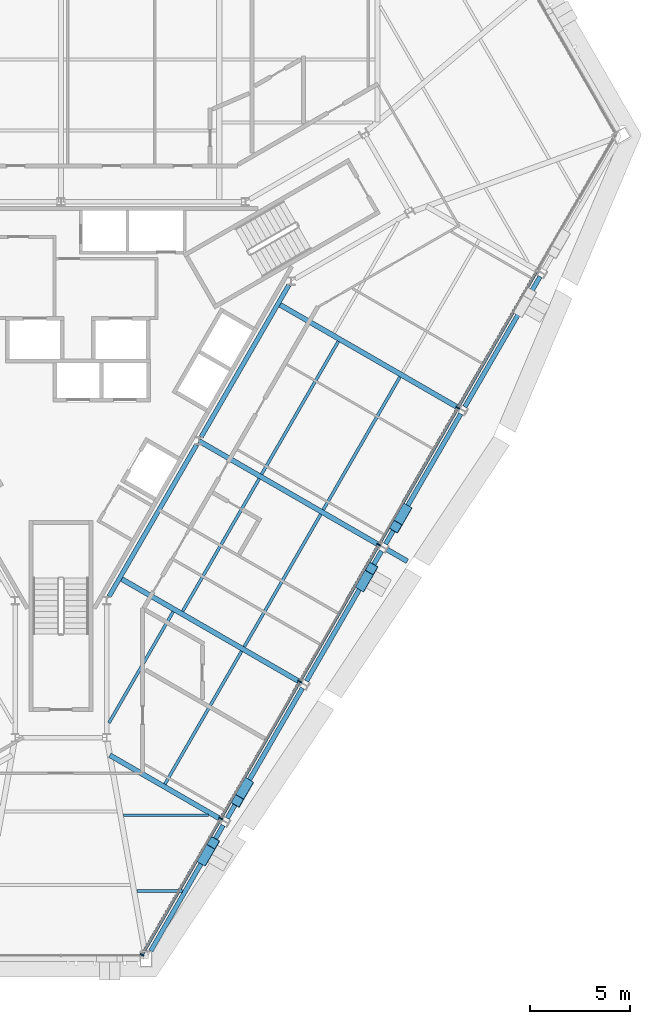
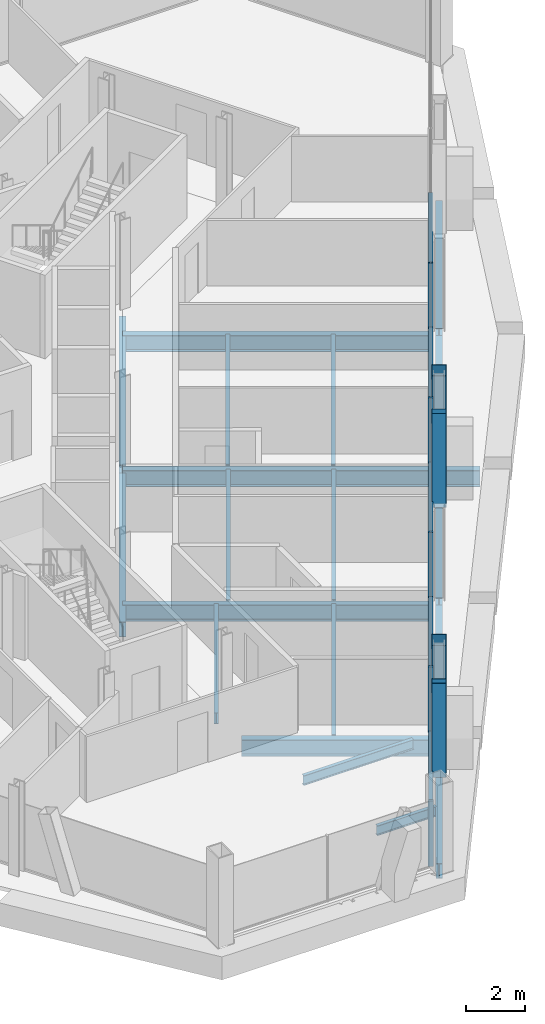
# One storey, part 5 of 14: 20 beams, 14 members, 1 element without a shape of its own.
"""IFC4 building model written with IfcOpenShell, lengths in metres."""

from ifc_helpers import new_model, si_unit, direction, frame, origin, origin_2d, place, context, subcontext, project, spatial, rectangle, hollow_rectangle, i_section, extrude, material, material_profile, profile_set, type_object, element, aggregate, save


model = new_model("IFC4")

# Units and contexts
model_context = context("Model", 3, precision=1e-05, world=origin(), true_north=direction((0.0, 1.0)))
body_context = subcontext(model_context, "Body", "Model", "MODEL_VIEW")
ifc_project = project(units=[si_unit("LENGTHUNIT", "METRE"), si_unit("AREAUNIT", "SQUARE_METRE"), si_unit("VOLUMEUNIT", "CUBIC_METRE"), si_unit("PLANEANGLEUNIT", "RADIAN"), si_unit("MASSUNIT", "GRAM", prefix="KILO")], contexts=[model_context])

# Site, building, storey
site_placement = place(None, origin())
site = spatial("IfcSite", under=ifc_project, at=site_placement, CompositionType="ELEMENT")
building_placement = place(site_placement, origin())
building = spatial("IfcBuilding", under=site, at=building_placement, Name="Verrane Prism Tower", CompositionType="ELEMENT")
storey_placement = place(building_placement, frame((0.0, 0.0, 193.199951171875)))
storey = spatial("IfcBuildingStorey", under=building, at=storey_placement, Name="L48", CompositionType="ELEMENT", Elevation=193.199951171875)

# Beams
ifc_material_1 = material(Name="Steel A992", Category="steel")
ifc_material_profile_1 = material_profile(ifc_material_1, i_section(OverallWidth=0.23046875, OverallDepth=0.6171875, WebThickness=0.01318359375, FlangeThickness=0.022216796875, FilletRadius=0.012939453125, at=origin_2d()), Name="W24x94")
ifc_profile_set_1 = profile_set([ifc_material_profile_1], Name="Steel A992")
beam_type_1 = type_object("IfcBeamType", Name="Core ring girder W24x94", PredefinedType="BEAM", material=ifc_profile_set_1)
beam_1_placement = place(storey_placement, frame((2.4150390625, -11.820556640625, -0.55859375), z_axis=(0.499988222896, 0.866032203192, 0.0), x_axis=(-0.866032203192, 0.499988222896, 0.0)))
element("IfcBeam", 1, at=beam_1_placement, inside=storey, type_object=beam_type_1, Name="Core ring girder L48", PredefinedType="BEAM", context=body_context, shape_type="SweptSolid", body=[
    extrude(i_section(OverallWidth=0.23046875, OverallDepth=0.6171875, WebThickness=0.01318359375, FlangeThickness=0.022216796875, FilletRadius=0.012939453125, at=origin_2d()), origin(), (0.0, 0.0, 1.0), 8.800048828125),
])
beam_2_placement = place(storey_placement, frame((7.045166015625, -3.800537109375, -0.55859375), z_axis=(0.499967414725, 0.866044216084, 0.0), x_axis=(-0.866044216084, 0.499967414725, 0.0)))
element("IfcBeam", 2, at=beam_2_placement, inside=storey, type_object=beam_type_1, Name="Core ring girder L48", PredefinedType="BEAM", context=body_context, shape_type="SweptSolid", body=[
    extrude(i_section(OverallWidth=0.23046875, OverallDepth=0.6171875, WebThickness=0.01318359375, FlangeThickness=0.022216796875, FilletRadius=0.012939453125, at=origin_2d()), origin(), (0.0, 0.0, 1.0), 8.7998046875),
])

# Members
ifc_material_2 = material(Name="Steel A500 Grade C", Category="steel")
ifc_material_profile_2 = material_profile(ifc_material_2, hollow_rectangle(XDim=0.508056640625, YDim=0.508056640625, WallThickness=0.01904296875, InnerFilletRadius=0.009521484375, OuterFilletRadius=0.028564453125, at=origin_2d()), Name="HSS20x20x3/4")
ifc_profile_set_2 = profile_set([ifc_material_profile_2], Name="Steel A500 Grade C")
member_type_1 = type_object("IfcMemberType", Name="Facade brace HSS20x20x3/4", PredefinedType="BRACE", material=ifc_profile_set_2)
member_1_placement = place(storey_placement, frame((7.154296875, -25.031494140625, -0.216552734375), z_axis=(0.146560139655, 0.254271253751, 0.955963521783), x_axis=(-0.866384350975, 0.499377769215, 0.0)))
element("IfcMember", 3, at=member_1_placement, inside=storey, type_object=member_type_1, Name="Facade brace SE0 L48", PredefinedType="BRACE", context=body_context, shape_type="SweptSolid", body=[
    extrude(hollow_rectangle(XDim=0.508056640625, YDim=0.508056640625, WallThickness=0.01904296875, InnerFilletRadius=0.009521484375, OuterFilletRadius=0.028564453125, at=origin_2d()), origin(), (0.0, 0.0, 1.0), 3.34326171875),
])
member_2_placement = place(storey_placement, frame((9.348388671875, -21.228515625, -0.216552734375), z_axis=(-0.146845944999, -0.254260358273, 0.955922558918), x_axis=(0.865953635734, -0.500124285313, 0.0)))
element("IfcMember", 4, at=member_2_placement, inside=storey, type_object=member_type_1, Name="Facade brace SE1 L48", PredefinedType="BRACE", context=body_context, shape_type="SweptSolid", body=[
    extrude(hollow_rectangle(XDim=0.508056640625, YDim=0.508056640625, WallThickness=0.01904296875, InnerFilletRadius=0.009521484375, OuterFilletRadius=0.028564453125, at=origin_2d()), origin(), (0.0, 0.0, 1.0), 3.343505859375),
])
member_3_placement = place(storey_placement, frame((15.104248046875, -11.2587890625, -0.216552734375), z_axis=(0.146573738441, 0.253929690364, 0.956052222188), x_axis=(-0.866073599808, 0.499916512745, 0.0)))
element("IfcMember", 5, at=member_3_placement, inside=storey, type_object=member_type_1, Name="Facade brace SE2 L48", PredefinedType="BRACE", context=body_context, shape_type="SweptSolid", body=[
    extrude(hollow_rectangle(XDim=0.508056640625, YDim=0.508056640625, WallThickness=0.01904296875, InnerFilletRadius=0.009521484375, OuterFilletRadius=0.028564453125, at=origin_2d()), origin(), (0.0, 0.0, 1.0), 3.343017578125),
])
member_4_placement = place(storey_placement, frame((17.29833984375, -7.45849609375, -0.216552734375), z_axis=(-0.146845944999, -0.254260358273, 0.955922558918), x_axis=(0.865953635734, -0.500124285313, 0.0)))
element("IfcMember", 6, at=member_4_placement, inside=storey, type_object=member_type_1, Name="Facade brace SE3 L48", PredefinedType="BRACE", context=body_context, shape_type="SweptSolid", body=[
    extrude(hollow_rectangle(XDim=0.508056640625, YDim=0.508056640625, WallThickness=0.01904296875, InnerFilletRadius=0.009521484375, OuterFilletRadius=0.028564453125, at=origin_2d()), origin(), (0.0, 0.0, 1.0), 3.343505859375),
])

# Beams
ifc_material_3 = material(Name="Steel A992", Category="steel")
ifc_material_profile_3 = material_profile(ifc_material_3, i_section(OverallWidth=0.140380859375, OverallDepth=0.40380859375, WebThickness=0.007080078125, FlangeThickness=0.01123046875, FilletRadius=0.01025390625, at=origin_2d()), Name="W16x31")
ifc_profile_set_3 = profile_set([ifc_material_profile_3], Name="Steel A992")
beam_type_2 = type_object("IfcBeamType", Name="Floor beam W16x31", PredefinedType="BEAM", material=ifc_profile_set_3)
beam_3_placement = place(storey_placement, frame((3.808837890625, -26.603271484375, -0.36181640625), z_axis=(1.0, 0.0, 0.0), x_axis=(0.0, 1.0, 0.0)))
element("IfcBeam", 7, at=beam_3_placement, inside=storey, type_object=beam_type_2, Name="Floor beam L48", PredefinedType="BEAM", context=body_context, shape_type="SweptSolid", body=[
    extrude(i_section(OverallWidth=0.140380859375, OverallDepth=0.40380859375, WebThickness=0.007080078125, FlangeThickness=0.01123046875, FilletRadius=0.01025390625, at=origin_2d()), origin(), (0.0, 0.0, 1.0), 2.30419921875),
])
beam_4_placement = place(storey_placement, frame((3.131103515625, -22.796630859375, -0.36181640625), z_axis=(1.0, 0.0, 0.0), x_axis=(0.0, 1.0, 0.0)))
element("IfcBeam", 8, at=beam_4_placement, inside=storey, type_object=beam_type_2, Name="Floor beam L48", PredefinedType="BEAM", context=body_context, shape_type="SweptSolid", body=[
    extrude(i_section(OverallWidth=0.140380859375, OverallDepth=0.40380859375, WebThickness=0.007080078125, FlangeThickness=0.01123046875, FilletRadius=0.01025390625, at=origin_2d()), origin(), (0.0, 0.0, 1.0), 4.287109375),
])
ifc_material_4 = material(Name="Steel A992", Category="steel")
ifc_material_profile_4 = material_profile(ifc_material_4, i_section(OverallWidth=0.15234375, OverallDepth=0.449462890625, WebThickness=0.007568359375, FlangeThickness=0.0107421875, FilletRadius=0.01025390625, at=origin_2d()), Name="W18x35")
ifc_profile_set_4 = profile_set([ifc_material_profile_4], Name="Steel A992")
beam_type_3 = type_object("IfcBeamType", Name="Floor beam W18x35", PredefinedType="BEAM", material=ifc_profile_set_4)
beam_5_placement = place(storey_placement, frame((5.222900390625, -21.237060546875, -0.384765625), z_axis=(0.500007761655, 0.866020922544, 0.0), x_axis=(-0.866020922544, 0.500007761655, 0.0)))
element("IfcBeam", 9, at=beam_5_placement, inside=storey, type_object=beam_type_3, Name="Floor beam L48", PredefinedType="BEAM", context=body_context, shape_type="SweptSolid", body=[
    extrude(i_section(OverallWidth=0.15234375, OverallDepth=0.449462890625, WebThickness=0.007568359375, FlangeThickness=0.0107421875, FilletRadius=0.01025390625, at=origin_2d()), origin(), (0.0, 0.0, 1.0), 7.70361328125),
])
beam_6_placement = place(storey_placement, frame((2.4150390625, -18.16064453125, -0.384765625), z_axis=(0.499994722028, 0.866028451001, 0.0), x_axis=(-0.866028451001, 0.499994722028, 0.0)))
element("IfcBeam", 10, at=beam_6_placement, inside=storey, type_object=beam_type_3, Name="Floor beam L48", PredefinedType="BEAM", context=body_context, shape_type="SweptSolid", body=[
    extrude(i_section(OverallWidth=0.15234375, OverallDepth=0.449462890625, WebThickness=0.007568359375, FlangeThickness=0.0107421875, FilletRadius=0.01025390625, at=origin_2d()), origin(), (0.0, 0.0, 1.0), 6.4423828125),
])
for number, where, z_axis, x_axis, name in (
    (11, (9.202880859375, -14.346435546875, -0.384765625), (0.500004621041, 0.866022735809, 0.0), (-0.866022735809, 0.500004621041, 0.0), "Floor beam L48"),
    (12, (6.1123046875, -12.562744140625, -0.384765625), (0.500004621041, 0.866022735809, 0.0), (-0.866022735809, 0.500004621041, 0.0), "Floor beam L48"),
):
    element("IfcBeam", number, at=place(storey_placement, frame(where, z_axis=z_axis, x_axis=x_axis)), inside=storey, type_object=beam_type_3, Name=name, PredefinedType="BEAM", context=body_context, shape_type="SweptSolid", body=[
        extrude(i_section(OverallWidth=0.15234375, OverallDepth=0.449462890625, WebThickness=0.007568359375, FlangeThickness=0.0107421875, FilletRadius=0.01025390625, at=origin_2d()), origin(), (0.0, 0.0, 1.0), 7.689453125),
    ])
beam_7_placement = place(storey_placement, frame((13.171142578125, -7.46533203125, -0.384765625), z_axis=(0.499990362368, 0.866030968003, 0.0), x_axis=(-0.866030968003, 0.499990362368, 0.0)))
element("IfcBeam", 13, at=beam_7_placement, inside=storey, type_object=beam_type_3, Name="Floor beam L48", PredefinedType="BEAM", context=body_context, shape_type="SweptSolid", body=[
    extrude(i_section(OverallWidth=0.15234375, OverallDepth=0.449462890625, WebThickness=0.007568359375, FlangeThickness=0.0107421875, FilletRadius=0.01025390625, at=origin_2d()), origin(), (0.0, 0.0, 1.0), 7.704345703125),
])
beam_8_placement = place(storey_placement, frame((10.0771484375, -5.6796875, -0.384765625), z_axis=(0.499983011228, 0.866035212034, 0.0), x_axis=(-0.866035212034, 0.499983011228, 0.0)))
element("IfcBeam", 14, at=beam_8_placement, inside=storey, type_object=beam_type_3, Name="Floor beam L48", PredefinedType="BEAM", context=body_context, shape_type="SweptSolid", body=[
    extrude(i_section(OverallWidth=0.15234375, OverallDepth=0.449462890625, WebThickness=0.007568359375, FlangeThickness=0.0107421875, FilletRadius=0.01025390625, at=origin_2d()), origin(), (0.0, 0.0, 1.0), 7.705322265625),
])

# Curtain wall, members
ifc_material_5 = material(Name="Aluminium framed insulated glazing", Category="aluminium")
curtain_wall_type = type_object("IfcCurtainWallType", Name="Curtain wall CW-A 8400 module", PredefinedType="NOTDEFINED", material=ifc_material_5)
curtain_wall_placement = place(storey_placement, origin())
curtain_wall = element("IfcCurtainWall", 15, at=curtain_wall_placement, inside=storey, type_object=curtain_wall_type, Name="Glazed curtain wall south-east face L48", PredefinedType="NOTDEFINED")
ifc_material_6 = material(Name="Aluminium alloy 6063-T6", Category="aluminium")
ifc_material_profile_5 = material_profile(ifc_material_6, rectangle(XDim=0.199951171875, YDim=0.070068359375, at=origin_2d()), Name="Mullion 70x200 aluminium")
ifc_profile_set_5 = profile_set([ifc_material_profile_5], Name="Aluminium alloy 6063-T6")
member_type_2 = type_object("IfcMemberType", Name="Mullion 70x200 aluminium", PredefinedType="MULLION", material=ifc_profile_set_5)
member_5_placement = place(storey_placement, frame((4.07275390625, -29.807861328125, 0.0), z_axis=(0.0, 0.0, 1.0), x_axis=(-0.866025652206, 0.499999569721, 0.0)))
member_5 = element("IfcMember", 16, at=member_5_placement, type_object=member_type_2, Name="CW47.6 mullion 1", PredefinedType="MULLION", context=body_context, shape_type="SweptSolid", body=[
    extrude(rectangle(XDim=0.199951171875, YDim=0.070068359375, at=origin_2d()), origin(), (0.0, 0.0, 1.0), 2.712890625),
])
member_6_placement = place(storey_placement, frame((8.024169921875, -22.9638671875, 0.0), z_axis=(0.0, 0.0, 1.0), x_axis=(-0.866025652206, 0.499999569721, 0.0)))
member_6 = element("IfcMember", 17, at=member_6_placement, type_object=member_type_2, Name="CW47.6 mullion 2", PredefinedType="MULLION", context=body_context, shape_type="SweptSolid", body=[
    extrude(rectangle(XDim=0.199951171875, YDim=0.070068359375, at=origin_2d()), origin(), (0.0, 0.0, 1.0), 2.712890625),
])
member_7_placement = place(storey_placement, frame((11.992919921875, -16.089599609375, 0.0), z_axis=(0.0, 0.0, 1.0), x_axis=(-0.866025652206, 0.499999569721, 0.0)))
member_7 = element("IfcMember", 18, at=member_7_placement, type_object=member_type_2, Name="CW47.6 mullion 3", PredefinedType="MULLION", context=body_context, shape_type="SweptSolid", body=[
    extrude(rectangle(XDim=0.199951171875, YDim=0.070068359375, at=origin_2d()), origin(), (0.0, 0.0, 1.0), 2.712890625),
])
member_8_placement = place(storey_placement, frame((15.961669921875, -9.215576171875, 0.0), z_axis=(0.0, 0.0, 1.0), x_axis=(-0.866025652206, 0.499999569721, 0.0)))
member_8 = element("IfcMember", 19, at=member_8_placement, type_object=member_type_2, Name="CW47.6 mullion 4", PredefinedType="MULLION", context=body_context, shape_type="SweptSolid", body=[
    extrude(rectangle(XDim=0.199951171875, YDim=0.070068359375, at=origin_2d()), origin(), (0.0, 0.0, 1.0), 2.712890625),
])
member_9_placement = place(storey_placement, frame((19.9306640625, -2.34130859375, 0.0), z_axis=(0.0, 0.0, 1.0), x_axis=(-0.866025652206, 0.499999569721, 0.0)))
member_9 = element("IfcMember", 20, at=member_9_placement, type_object=member_type_2, Name="CW47.6 mullion 5", PredefinedType="MULLION", context=body_context, shape_type="SweptSolid", body=[
    extrude(rectangle(XDim=0.199951171875, YDim=0.070068359375, at=origin_2d()), origin(), (0.0, 0.0, 1.0), 2.712890625),
])

# Beams
ifc_material_7 = material(Name="Steel A992", Category="steel")
ifc_material_profile_6 = material_profile(ifc_material_7, i_section(OverallWidth=0.25390625, OverallDepth=0.683349609375, WebThickness=0.012451171875, FlangeThickness=0.01904296875, FilletRadius=0.01513671875, at=origin_2d()), Name="W27x94")
ifc_profile_set_6 = profile_set([ifc_material_profile_6], Name="Steel A992")
beam_type_4 = type_object("IfcBeamType", Name="Radial girder W27x94", PredefinedType="BEAM", material=ifc_profile_set_6)
beam_9_placement = place(storey_placement, frame((8.069580078125, -23.02587890625, -0.5615234375), z_axis=(-0.866024967991, 0.500000754816, 0.0), x_axis=(-0.500000754816, -0.866024967991, 0.0)))
element("IfcBeam", 21, at=beam_9_placement, inside=storey, type_object=beam_type_4, Name="Radial girder L48", PredefinedType="BEAM", context=body_context, shape_type="SweptSolid", body=[
    extrude(i_section(OverallWidth=0.25390625, OverallDepth=0.683349609375, WebThickness=0.012451171875, FlangeThickness=0.01904296875, FilletRadius=0.01513671875, at=origin_2d()), origin(), (0.0, 0.0, 1.0), 6.47998046875),
])
beam_10_placement = place(storey_placement, frame((12.049560546875, -16.135986328125, -0.5615234375), z_axis=(-0.866024144196, 0.500002181665, 0.0), x_axis=(-0.500002181665, -0.866024144196, 0.0)))
element("IfcBeam", 22, at=beam_10_placement, inside=storey, type_object=beam_type_4, Name="Radial girder L48", PredefinedType="BEAM", context=body_context, shape_type="SweptSolid", body=[
    extrude(i_section(OverallWidth=0.25390625, OverallDepth=0.683349609375, WebThickness=0.012451171875, FlangeThickness=0.01904296875, FilletRadius=0.01513671875, at=origin_2d()), origin(), (0.0, 0.0, 1.0), 10.50146484375),
])
beam_11_placement = place(storey_placement, frame((16.01953125, -9.255859375, -0.5615234375), z_axis=(-0.866029539658, 0.499992836388, 0.0), x_axis=(-0.499992836388, -0.866029539658, 0.0)))
element("IfcBeam", 23, at=beam_11_placement, inside=storey, type_object=beam_type_4, Name="Radial girder L48", PredefinedType="BEAM", context=body_context, shape_type="SweptSolid", body=[
    extrude(i_section(OverallWidth=0.25390625, OverallDepth=0.683349609375, WebThickness=0.012451171875, FlangeThickness=0.01904296875, FilletRadius=0.01513671875, at=origin_2d()), origin(), (0.0, 0.0, 1.0), 10.499755859375),
])
beam_12_placement = place(storey_placement, frame((19.99951171875, -2.365966796875, -0.5615234375), z_axis=(-0.866019889578, 0.500009550764, 0.0), x_axis=(-0.500009550764, -0.866019889578, 0.0)))
element("IfcBeam", 24, at=beam_12_placement, inside=storey, type_object=beam_type_4, Name="Radial girder L48", PredefinedType="BEAM", context=body_context, shape_type="SweptSolid", body=[
    extrude(i_section(OverallWidth=0.25390625, OverallDepth=0.683349609375, WebThickness=0.012451171875, FlangeThickness=0.01904296875, FilletRadius=0.01513671875, at=origin_2d()), origin(), (0.0, 0.0, 1.0), 10.501708984375),
])
beam_13_placement = place(storey_placement, frame((16.376953125, -9.462158203125, -0.5615234375), z_axis=(0.865984991198, -0.500069990121, 0.0), x_axis=(0.500069990121, 0.865984991198, 0.0)))
element("IfcBeam", 25, at=beam_13_placement, inside=storey, type_object=beam_type_4, Name="Cantilever girder L48", PredefinedType="BEAM", context=body_context, shape_type="SweptSolid", body=[
    extrude(i_section(OverallWidth=0.25390625, OverallDepth=0.683349609375, WebThickness=0.012451171875, FlangeThickness=0.01904296875, FilletRadius=0.01513671875, at=origin_2d()), origin(), (0.0, 0.0, 1.0), 1.175537109375),
])
ifc_material_8 = material(Name="Steel A992", Category="steel")
ifc_material_profile_7 = material_profile(ifc_material_8, i_section(OverallWidth=0.23046875, OverallDepth=0.6171875, WebThickness=0.01318359375, FlangeThickness=0.022216796875, FilletRadius=0.012939453125, at=origin_2d()), Name="W24x94")
ifc_profile_set_7 = profile_set([ifc_material_profile_7], Name="Steel A992")
beam_type_5 = type_object("IfcBeamType", Name="Spandrel beam W24x94", PredefinedType="SPANDREL", material=ifc_profile_set_7)
beam_14_placement = place(storey_placement, frame((4.510498046875, -29.6201171875, -0.468505859375), z_axis=(0.499260257978, 0.866452072999, 0.0), x_axis=(-0.866452072999, 0.499260257978, 0.0)))
element("IfcBeam", 26, at=beam_14_placement, inside=storey, type_object=beam_type_5, Name="Spandrel beam L48", PredefinedType="SPANDREL", context=body_context, shape_type="SweptSolid", body=[
    extrude(i_section(OverallWidth=0.23046875, OverallDepth=0.6171875, WebThickness=0.01318359375, FlangeThickness=0.022216796875, FilletRadius=0.012939453125, at=origin_2d()), origin(), (0.0, 0.0, 1.0), 7.287109375),
])
beam_15_placement = place(storey_placement, frame((8.3515625, -22.9541015625, -0.468505859375), z_axis=(0.500207565094, 0.865905532852, 0.0), x_axis=(-0.865905532852, 0.500207565094, 0.0)))
element("IfcBeam", 27, at=beam_15_placement, inside=storey, type_object=beam_type_5, Name="Spandrel beam L48", PredefinedType="SPANDREL", context=body_context, shape_type="SweptSolid", body=[
    extrude(i_section(OverallWidth=0.23046875, OverallDepth=0.6171875, WebThickness=0.01318359375, FlangeThickness=0.022216796875, FilletRadius=0.012939453125, at=origin_2d()), origin(), (0.0, 0.0, 1.0), 7.550537109375),
])
beam_16_placement = place(storey_placement, frame((12.33154296875, -16.06396484375, -0.468505859375), z_axis=(0.499786949886, 0.866148373388, 0.0), x_axis=(-0.866148373388, 0.499786949886, 0.0)))
element("IfcBeam", 28, at=beam_16_placement, inside=storey, type_object=beam_type_5, Name="Spandrel beam L48", PredefinedType="SPANDREL", context=body_context, shape_type="SweptSolid", body=[
    extrude(i_section(OverallWidth=0.23046875, OverallDepth=0.6171875, WebThickness=0.01318359375, FlangeThickness=0.022216796875, FilletRadius=0.012939453125, at=origin_2d()), origin(), (0.0, 0.0, 1.0), 7.536865234375),
])
beam_17_placement = place(storey_placement, frame((16.301513671875, -9.18408203125, -0.468505859375), z_axis=(0.500207565094, 0.865905532852, 0.0), x_axis=(-0.865905532852, 0.500207565094, 0.0)))
element("IfcBeam", 29, at=beam_17_placement, inside=storey, type_object=beam_type_5, Name="Spandrel beam L48", PredefinedType="SPANDREL", context=body_context, shape_type="SweptSolid", body=[
    extrude(i_section(OverallWidth=0.23046875, OverallDepth=0.6171875, WebThickness=0.01318359375, FlangeThickness=0.022216796875, FilletRadius=0.012939453125, at=origin_2d()), origin(), (0.0, 0.0, 1.0), 7.550537109375),
])
beam_18_placement = place(storey_placement, frame((20.281494140625, -2.2939453125, -0.468505859375), z_axis=(0.500221570343, 0.865897442289, 0.0), x_axis=(-0.865897442289, 0.500221570343, 0.0)))
element("IfcBeam", 30, at=beam_18_placement, inside=storey, type_object=beam_type_5, Name="Spandrel beam L48", PredefinedType="SPANDREL", context=body_context, shape_type="SweptSolid", body=[
    extrude(i_section(OverallWidth=0.23046875, OverallDepth=0.6171875, WebThickness=0.01318359375, FlangeThickness=0.022216796875, FilletRadius=0.012939453125, at=origin_2d()), origin(), (0.0, 0.0, 1.0), 7.55029296875),
])

# Member
ifc_material_9 = material(Name="Aluminium alloy 6063-T6", Category="aluminium")
ifc_material_profile_8 = material_profile(ifc_material_9, rectangle(XDim=0.14990234375, YDim=0.070068359375, at=origin_2d()), Name="Transom 70x150 aluminium")
ifc_profile_set_8 = profile_set([ifc_material_profile_8], Name="Aluminium alloy 6063-T6")
member_type_3 = type_object("IfcMemberType", Name="Transom 70x150 aluminium", PredefinedType="USERDEFINED", material=ifc_profile_set_8)
member_10_placement = place(storey_placement, frame((4.09033203125, -29.777587890625, 0.03515625), z_axis=(0.499984168422, 0.866034543957, 0.0), x_axis=(-0.866034543957, 0.499984168422, 0.0)))
member_10 = element("IfcMember", 31, at=member_10_placement, type_object=member_type_3, Name="CW47.6 transom 1", ObjectType="TRANSOM", PredefinedType="USERDEFINED", context=body_context, shape_type="SweptSolid", body=[
    extrude(rectangle(XDim=0.14990234375, YDim=0.070068359375, at=origin_2d()), origin(), (0.0, 0.0, 1.0), 7.832763671875),
])

member_11_placement = place(storey_placement, frame((8.04150390625, -22.93359375, 0.03515625), z_axis=(0.50000718421, 0.866021255939, 0.0), x_axis=(-0.866021255939, 0.50000718421, 0.0)))
member_11 = element("IfcMember", 32, at=member_11_placement, type_object=member_type_3, Name="CW47.6 transom 2", ObjectType="TRANSOM", PredefinedType="USERDEFINED", context=body_context, shape_type="SweptSolid", body=[
    extrude(rectangle(XDim=0.14990234375, YDim=0.070068359375, at=origin_2d()), origin(), (0.0, 0.0, 1.0), 7.86767578125),
])

member_12_placement = place(storey_placement, frame((12.010498046875, -16.059326171875, 0.03515625), z_axis=(0.50000718421, 0.866021255939, 0.0), x_axis=(-0.866021255939, 0.50000718421, 0.0)))
member_12 = element("IfcMember", 33, at=member_12_placement, type_object=member_type_3, Name="CW47.6 transom 3", ObjectType="TRANSOM", PredefinedType="USERDEFINED", context=body_context, shape_type="SweptSolid", body=[
    extrude(rectangle(XDim=0.14990234375, YDim=0.070068359375, at=origin_2d()), origin(), (0.0, 0.0, 1.0), 7.86767578125),
])

member_13_placement = place(storey_placement, frame((15.979248046875, -9.185302734375, 0.03515625), z_axis=(0.49999374744, 0.866029013672, 0.0), x_axis=(-0.866029013672, 0.49999374744, 0.0)))
member_13 = element("IfcMember", 34, at=member_13_placement, type_object=member_type_3, Name="CW47.6 transom 4", ObjectType="TRANSOM", PredefinedType="USERDEFINED", context=body_context, shape_type="SweptSolid", body=[
    extrude(rectangle(XDim=0.14990234375, YDim=0.070068359375, at=origin_2d()), origin(), (0.0, 0.0, 1.0), 7.86767578125),
])

member_14_placement = place(storey_placement, frame((19.947998046875, -2.31103515625, 0.03515625), z_axis=(0.49999374744, 0.866029013672, 0.0), x_axis=(-0.866029013672, 0.49999374744, 0.0)))
member_14 = element("IfcMember", 35, at=member_14_placement, type_object=member_type_3, Name="CW47.6 transom 5", ObjectType="TRANSOM", PredefinedType="USERDEFINED", context=body_context, shape_type="SweptSolid", body=[
    extrude(rectangle(XDim=0.14990234375, YDim=0.070068359375, at=origin_2d()), origin(), (0.0, 0.0, 1.0), 7.86767578125),
])

aggregate(curtain_wall, [member_5, member_6, member_7, member_8, member_9, member_10, member_11, member_12, member_13, member_14])

save(model, "model.ifc")
